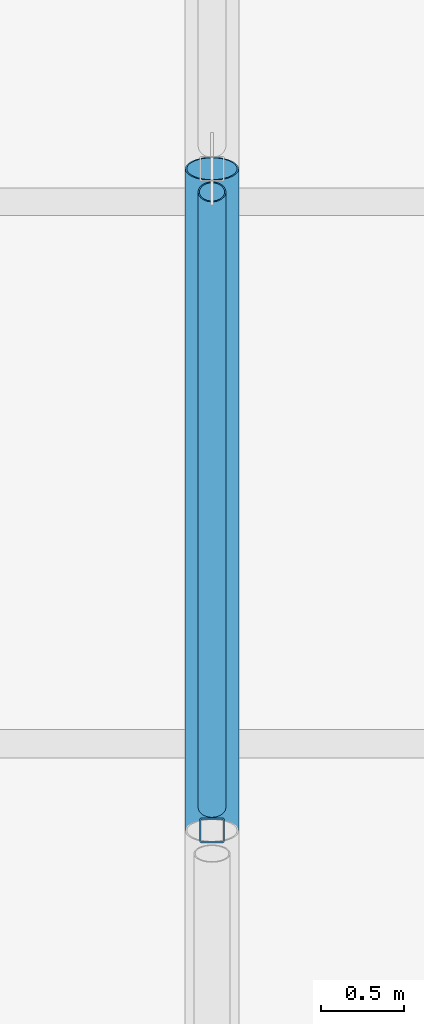
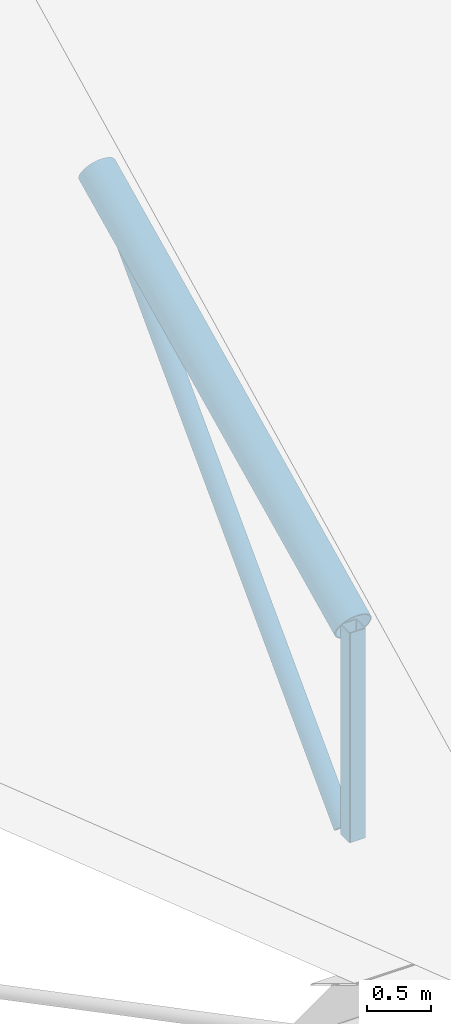
# One storey, part 79 of 137: 3 members.
"""IFC4 building model written with IfcOpenShell, lengths in metres."""

from ifc_helpers import new_model, si_unit, direction, frame, origin, origin_2d, place, context, subcontext, project, spatial, hollow_rectangle, hollow_circle, extrude, material, material_profile, profile_set, type_object, element, save


model = new_model("IFC4")

# Units and contexts
model_context = context("Model", 3, precision=1e-05, world=origin(), true_north=direction((0.0, 1.0)))
body_context = subcontext(model_context, "Body", "Model", "MODEL_VIEW")
ifc_project = project(units=[si_unit("LENGTHUNIT", "METRE"), si_unit("AREAUNIT", "SQUARE_METRE"), si_unit("VOLUMEUNIT", "CUBIC_METRE"), si_unit("PLANEANGLEUNIT", "RADIAN"), si_unit("MASSUNIT", "GRAM", prefix="KILO")], contexts=[model_context])

# Site, building, storey
site_placement = place(None, origin())
site = spatial("IfcSite", under=ifc_project, at=site_placement, CompositionType="ELEMENT")
building_placement = place(site_placement, origin())
building = spatial("IfcBuilding", under=site, at=building_placement, Name="Jelvoka-Kovrelna Polytechnic", CompositionType="ELEMENT")
storey_placement = place(building_placement, frame((0.0, 0.0, 9.60009765625)))
storey = spatial("IfcBuildingStorey", under=building, at=storey_placement, Name="L03", CompositionType="ELEMENT", Elevation=9.60009765625)

# Members
ifc_material_1 = material(Name="Structural steel S355J2H", Category="steel")
ifc_material_profile_1 = material_profile(ifc_material_1, hollow_circle(Radius=0.084228515625, WallThickness=0.008056640625, at=origin_2d()), Name="168.3x8.0 CHS")
ifc_profile_set_1 = profile_set([ifc_material_profile_1], Name="Structural steel S355J2H")
member_type_1 = type_object("IfcMemberType", Name="Member_Brace_CHS168", PredefinedType="BRACE", material=ifc_profile_set_1)
member_1_placement = place(storey_placement, frame((168.0, 108.139892578125, 0.14990234375), z_axis=(0.0, 0.69521468222, 0.718802160282), x_axis=(-1.0, 0.0, 0.0)))
element("IfcMember", 1, at=member_1_placement, inside=storey, type_object=member_type_1, Name="Sawtooth truss 6 diagonal web 2.2", PredefinedType="BRACE", context=body_context, shape_type="SweptSolid", body=[
    extrude(hollow_circle(Radius=0.084228515625, WallThickness=0.008056640625, at=origin_2d()), origin(), (0.0, 0.0, 1.0), 5.35107421875),
])
ifc_material_2 = material(Name="Structural steel S355J2H", Category="steel")
ifc_material_profile_2 = material_profile(ifc_material_2, hollow_circle(Radius=0.161865234375, WallThickness=0.010009765625, at=origin_2d()), Name="323.9x10.0 CHS")
ifc_profile_set_2 = profile_set([ifc_material_profile_2], Name="Structural steel S355J2H")
member_type_2 = type_object("IfcMemberType", Name="Member_Chord_CHS324", PredefinedType="CHORD", material=ifc_profile_set_2)
member_2_placement = place(storey_placement, frame((168.0, 108.0, 2.148193359375), z_axis=(0.0, 0.900799405566, 0.434235455637), x_axis=(-1.0, 0.0, 0.0)))
element("IfcMember", 2, at=member_2_placement, inside=storey, type_object=member_type_2, Name="Sawtooth truss 6 top chord 2.2", PredefinedType="CHORD", context=body_context, shape_type="SweptSolid", body=[
    extrude(hollow_circle(Radius=0.161865234375, WallThickness=0.010009765625, at=origin_2d()), origin(), (0.0, 0.0, 1.0), 4.4404296875),
])
ifc_material_3 = material(Name="Structural steel S355J2H", Category="steel")
ifc_material_profile_3 = material_profile(ifc_material_3, hollow_rectangle(XDim=0.14990234375, YDim=0.14990234375, WallThickness=0.008056640625, InnerFilletRadius=0.008056640625, OuterFilletRadius=0.011962890625, at=origin_2d()), Name="150x150x8.0 SHS")
ifc_profile_set_3 = profile_set([ifc_material_profile_3], Name="Structural steel S355J2H")
member_type_3 = type_object("IfcMemberType", Name="Member_Post_SHS150", PredefinedType="POST", material=ifc_profile_set_3)
member_3_placement = place(storey_placement, frame((168.0, 108.0, 0.14990234375), z_axis=(0.0, 0.0, 1.0), x_axis=(1.0, 0.0, 0.0)))
element("IfcMember", 3, at=member_3_placement, inside=storey, type_object=member_type_3, Name="Sawtooth truss 6 web post 2.2", PredefinedType="POST", context=body_context, shape_type="SweptSolid", body=[
    extrude(hollow_rectangle(XDim=0.14990234375, YDim=0.14990234375, WallThickness=0.008056640625, InnerFilletRadius=0.008056640625, OuterFilletRadius=0.011962890625, at=origin_2d()), origin(), (0.0, 0.0, 1.0), 1.998291015625),
])

save(model, "model.ifc")
